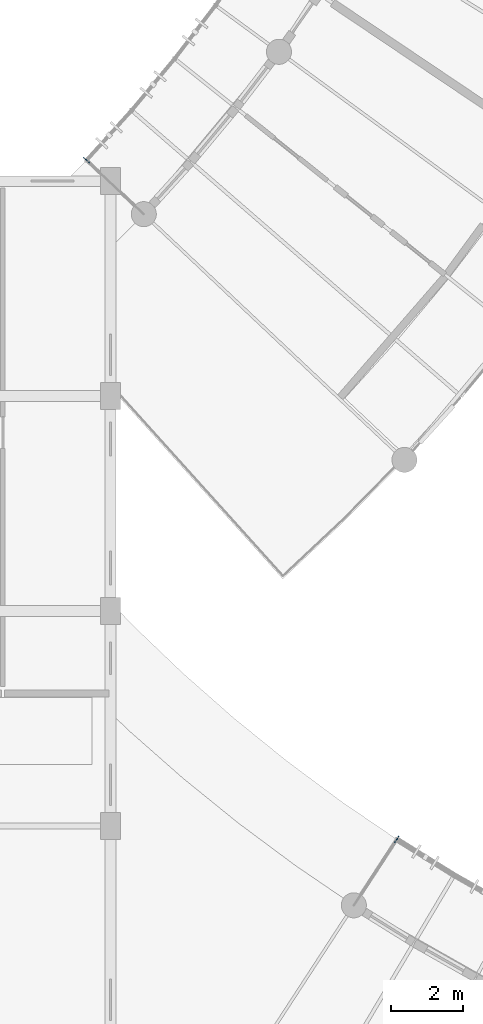
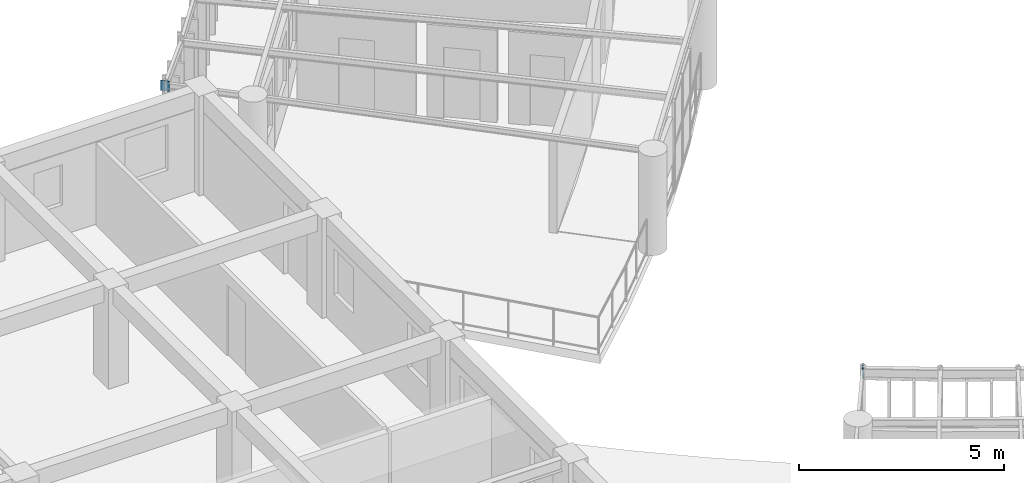
# One storey, part 51 of 100: 2 plates.
"""IFC4 building model written with IfcOpenShell, lengths in metres."""

from ifc_helpers import new_model, si_unit, direction, frame, origin, origin_2d, place, context, subcontext, project, spatial, rectangle, extrude, material, layer, layer_set, type_object, element, save


model = new_model("IFC4")

# Units and contexts
model_context = context("Model", 3, precision=1e-05, world=origin(), true_north=direction((0.0, 1.0)))
body_context = subcontext(model_context, "Body", "Model", "MODEL_VIEW")
ifc_project = project(units=[si_unit("LENGTHUNIT", "METRE"), si_unit("AREAUNIT", "SQUARE_METRE"), si_unit("VOLUMEUNIT", "CUBIC_METRE"), si_unit("PLANEANGLEUNIT", "RADIAN"), si_unit("MASSUNIT", "GRAM", prefix="KILO"), si_unit("POWERUNIT", "WATT"), si_unit("THERMODYNAMICTEMPERATUREUNIT", "KELVIN")], contexts=[model_context])

# Site, building, storey
site_placement = place(None, origin())
site = spatial("IfcSite", under=ifc_project, at=site_placement, CompositionType="ELEMENT")
building_placement = place(site_placement, origin())
building = spatial("IfcBuilding", under=site, at=building_placement, Name="Ruvembo Vaulted Housing Court", CompositionType="ELEMENT")
storey_placement = place(building_placement, frame((0.0, 0.0, 10.89990234375)))
storey = spatial("IfcBuildingStorey", under=building, at=storey_placement, Name="L03", CompositionType="ELEMENT", Elevation=10.89990234375)

# Plates
ifc_material = material(Name="Steel S355J2", Category="steel")
ifc_layer = layer(ifc_material, 0.01611328125, Name="Steel S355J2")
ifc_layer_set = layer_set([ifc_layer], Name="Steel S355J2")
plate_type = type_object("IfcPlateType", Name="PL-NODE-GUSSET-16", PredefinedType="USERDEFINED", material=ifc_layer_set)
for number, where, z_axis, x_axis, name in (
    (1, (35.32958984375, 42.5869140625, 2.68994140625), (0.0, 0.0, 1.0), (0.670840911859, 0.741601288413, 0.0), "Scoop SC1 L03 Hollow Spandrel End Cap Plate 0"),
    (2, (43.99462890625, 23.62841796875, 2.6650390625), (0.0, 0.0, 1.0), (0.848897895443, -0.528556868381, 0.0), "Scoop SC2 L03 Hollow Spandrel End Cap Plate 0"),
):
    element("IfcPlate", number, at=place(storey_placement, frame(where, z_axis=z_axis, x_axis=x_axis)), inside=storey, type_object=plate_type, Name=name, ObjectType="GUSSET_PLATE", PredefinedType="USERDEFINED", context=body_context, shape_type="SweptSolid", body=[
        extrude(rectangle(XDim=0.02392578125, YDim=0.219970703125, at=origin_2d()), origin(), (0.0, 0.0, 1.0), 0.300048828125),
    ])

save(model, "model.ifc")
